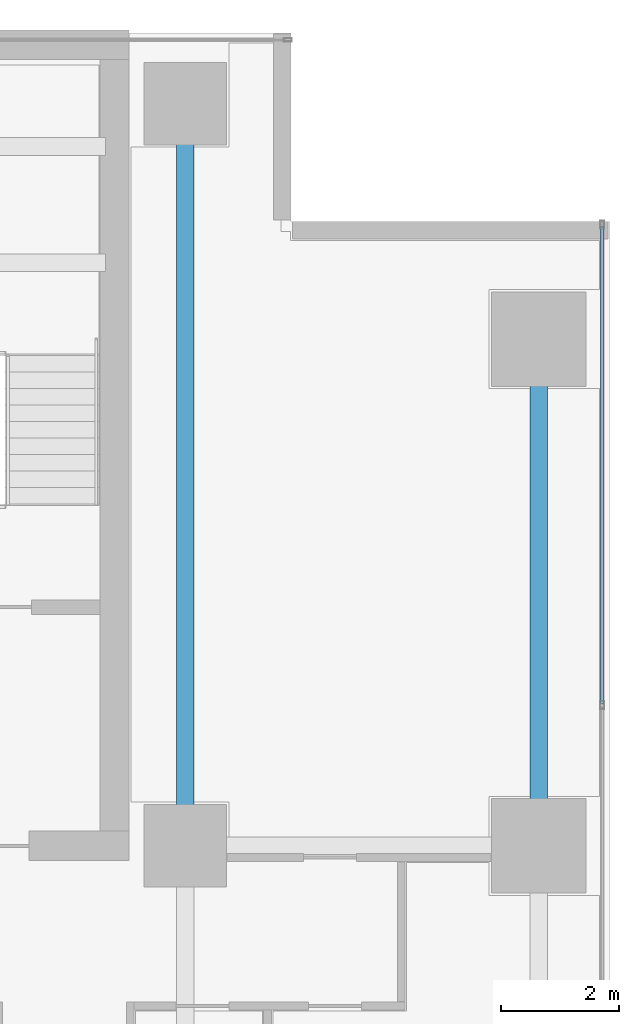
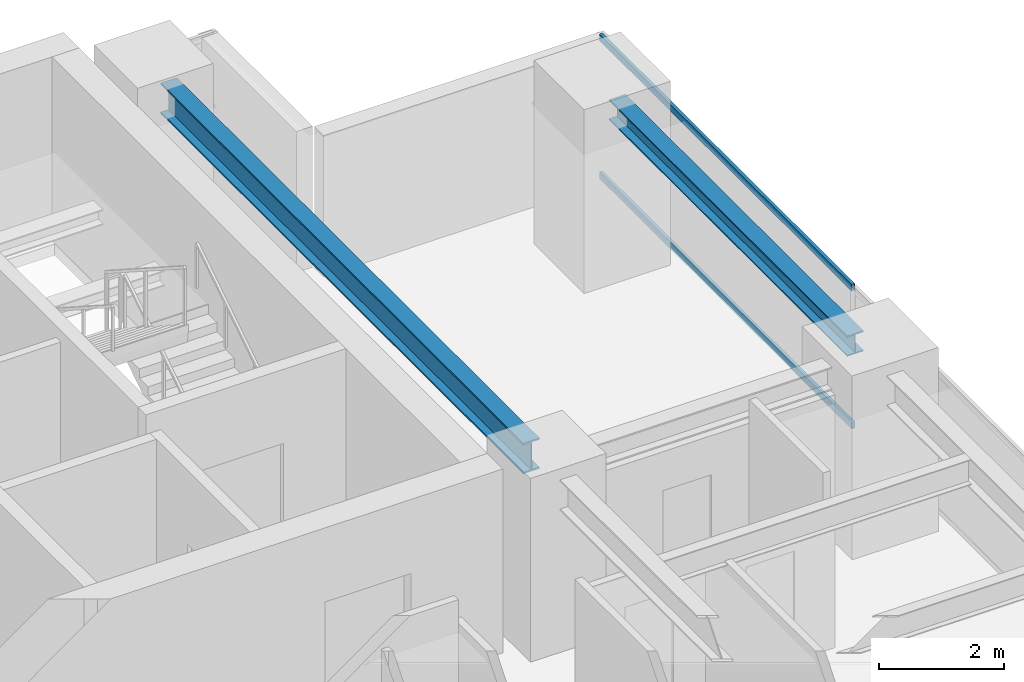
# One storey, part 18 of 29: 2 beams, 2 members, 1 element without a shape of its own.
"""IFC4 building model written with IfcOpenShell, lengths in metres."""

from ifc_helpers import new_model, si_unit, direction, frame, origin, origin_2d, place, context, subcontext, project, spatial, hollow_rectangle, i_section, extrude, source, transform, mapped, material, layer, layer_set, material_profile, profile_set, type_object, element, aggregate, save


model = new_model("IFC4")

# Units and contexts
model_context = context("Model", 3, precision=1e-05, world=origin(), true_north=direction((0.0, 1.0)))
body_context = subcontext(model_context, "Body", "Model", "MODEL_VIEW")
ifc_project = project(units=[si_unit("LENGTHUNIT", "METRE"), si_unit("AREAUNIT", "SQUARE_METRE"), si_unit("VOLUMEUNIT", "CUBIC_METRE"), si_unit("PLANEANGLEUNIT", "RADIAN"), si_unit("MASSUNIT", "GRAM", prefix="KILO")], contexts=[model_context])

# Site, building, storey
site_placement = place(None, origin())
site = spatial("IfcSite", under=ifc_project, at=site_placement, CompositionType="ELEMENT")
building_placement = place(site_placement, origin())
building = spatial("IfcBuilding", under=site, at=building_placement, Name="Sumidabori Civic Tower", CompositionType="ELEMENT")
storey_placement = place(building_placement, frame((0.0, 0.0, 203.60009765625)))
storey = spatial("IfcBuildingStorey", under=building, at=storey_placement, Name="L52", CompositionType="ELEMENT", Elevation=203.60009765625)

# Beams
ifc_material_1 = material(Name="Steel SN490", Category="steel")
ifc_material_profile_1 = material_profile(ifc_material_1, i_section(OverallWidth=0.300048828125, OverallDepth=0.39990234375, WebThickness=0.013427734375, FlangeThickness=0.02392578125, at=origin_2d()), Name="HE 400 B")
ifc_profile_set_1 = profile_set([ifc_material_profile_1], Name="Steel SN490")
beam_type_1 = type_object("IfcBeamType", Name="BM-GIRD-400", PredefinedType="BEAM", material=ifc_profile_set_1)
shared_shape_1 = source(origin(), body_context, "Body", "SweptSolid", [
    extrude(i_section(OverallWidth=0.300048828125, OverallDepth=0.39990234375, WebThickness=0.013427734375, FlangeThickness=0.02392578125, at=origin_2d()), origin(), (0.0, 0.0, 1.0), 7.64013671875),
])
beam_1_placement = place(storey_placement, frame((22.800048828125, 10.679931640625, 3.179931640625), z_axis=(0.0, 1.0, 0.0), x_axis=(-1.0, 0.0, 0.0)))
element("IfcBeam", 1, at=beam_1_placement, inside=storey, type_object=beam_type_1, Name="Primary Girder L52 GY-24", PredefinedType="BEAM", context=body_context, shape_type="MappedRepresentation", body=[
    mapped(shared_shape_1, transform((0.0, 0.0, 0.0), x_axis=(1.0, 0.0, 0.0), y_axis=(0.0, 1.0, 0.0), z_axis=(0.0, 0.0, 1.0), scale=1.0)),
])
ifc_material_profile_2 = material_profile(ifc_material_1, i_section(OverallWidth=0.300048828125, OverallDepth=0.60009765625, WebThickness=0.015380859375, FlangeThickness=0.030029296875, at=origin_2d()), Name="HE 600 B")
ifc_profile_set_2 = profile_set([ifc_material_profile_2], Name="Steel SN490")
beam_type_2 = type_object("IfcBeamType", Name="BM-GIRD-600", PredefinedType="BEAM", material=ifc_profile_set_2)
shared_shape_2 = source(origin(), body_context, "Body", "SweptSolid", [
    extrude(i_section(OverallWidth=0.300048828125, OverallDepth=0.60009765625, WebThickness=0.015380859375, FlangeThickness=0.030029296875, at=origin_2d()), origin(), (0.0, 0.0, 1.0), 11.64013671875),
])
beam_2_placement = place(storey_placement, frame((16.800048828125, 10.679931640625, 3.079833984375), z_axis=(0.0, 1.0, 0.0), x_axis=(-1.0, 0.0, 0.0)))
element("IfcBeam", 2, at=beam_2_placement, inside=storey, type_object=beam_type_2, Name="Primary Girder L52 GY-21", PredefinedType="BEAM", context=body_context, shape_type="MappedRepresentation", body=[
    mapped(shared_shape_2, transform((0.0, 0.0, 0.0), x_axis=(1.0, 0.0, 0.0), y_axis=(0.0, 1.0, 0.0), z_axis=(0.0, 0.0, 1.0), scale=1.0)),
])

# Curtain wall, members
ifc_material_2 = material(Name="Anodised Bronze Aluminium AW-6063-T6", Category="aluminium")
ifc_layer = layer(ifc_material_2, 0.179931640625, Name="Anodised Bronze Aluminium AW-6063-T6")
ifc_layer_set = layer_set([ifc_layer], Name="Anodised Bronze Aluminium AW-6063-T6")
curtain_wall_type = type_object("IfcCurtainWallType", Name="CW-SYS-5", PredefinedType="NOTDEFINED", material=ifc_layer_set)
curtain_wall_placement = place(storey_placement, origin())
curtain_wall = element("IfcCurtainWall", 3, at=curtain_wall_placement, inside=storey, type_object=curtain_wall_type, Name="Curtain Wall CW:L52:R10", PredefinedType="NOTDEFINED")
ifc_material_profile_3 = material_profile(ifc_material_2, hollow_rectangle(XDim=0.06005859375, YDim=0.1298828125, WallThickness=0.0048828125, at=origin_2d()), Name="ALU TRANSOM 130x60")
ifc_profile_set_3 = profile_set([ifc_material_profile_3], Name="Anodised Bronze Aluminium AW-6063-T6")
member_type = type_object("IfcMemberType", Name="CW-TRN-130", PredefinedType="USERDEFINED", material=ifc_profile_set_3)
shared_shape_3 = source(origin(), body_context, "Body", "SweptSolid", [
    extrude(hollow_rectangle(XDim=0.06005859375, YDim=0.1298828125, WallThickness=0.0048828125, at=origin_2d()), origin(), (0.0, 0.0, 1.0), 8.094970703125),
])
member_1_placement = place(storey_placement, frame((23.8798828125, 12.614990234375, 0.02978515625), z_axis=(0.0, 1.0, 0.0), x_axis=(-1.0, 0.0, 0.0)))
member_1 = element("IfcMember", 4, at=member_1_placement, type_object=member_type, Name="CW-5 transom 4.1", ObjectType="TRANSOM", PredefinedType="USERDEFINED", context=body_context, shape_type="MappedRepresentation", body=[
    mapped(shared_shape_3, transform((0.0, 0.0, 0.0), x_axis=(1.0, 0.0, 0.0), y_axis=(0.0, 1.0, 0.0), z_axis=(0.0, 0.0, 1.0), scale=1.0)),
])
member_2_placement = place(storey_placement, frame((23.8798828125, 12.614990234375, 2.72998046875), z_axis=(0.0, 1.0, 0.0), x_axis=(-1.0, 0.0, 0.0)))
member_2 = element("IfcMember", 5, at=member_2_placement, type_object=member_type, Name="CW-5 transom 4.2", ObjectType="TRANSOM", PredefinedType="USERDEFINED", context=body_context, shape_type="MappedRepresentation", body=[
    mapped(shared_shape_3, transform((0.0, 0.0, 0.0), x_axis=(1.0, 0.0, 0.0), y_axis=(0.0, 1.0, 0.0), z_axis=(0.0, 0.0, 1.0), scale=1.0)),
])
aggregate(curtain_wall, [member_1, member_2])

save(model, "model.ifc")
